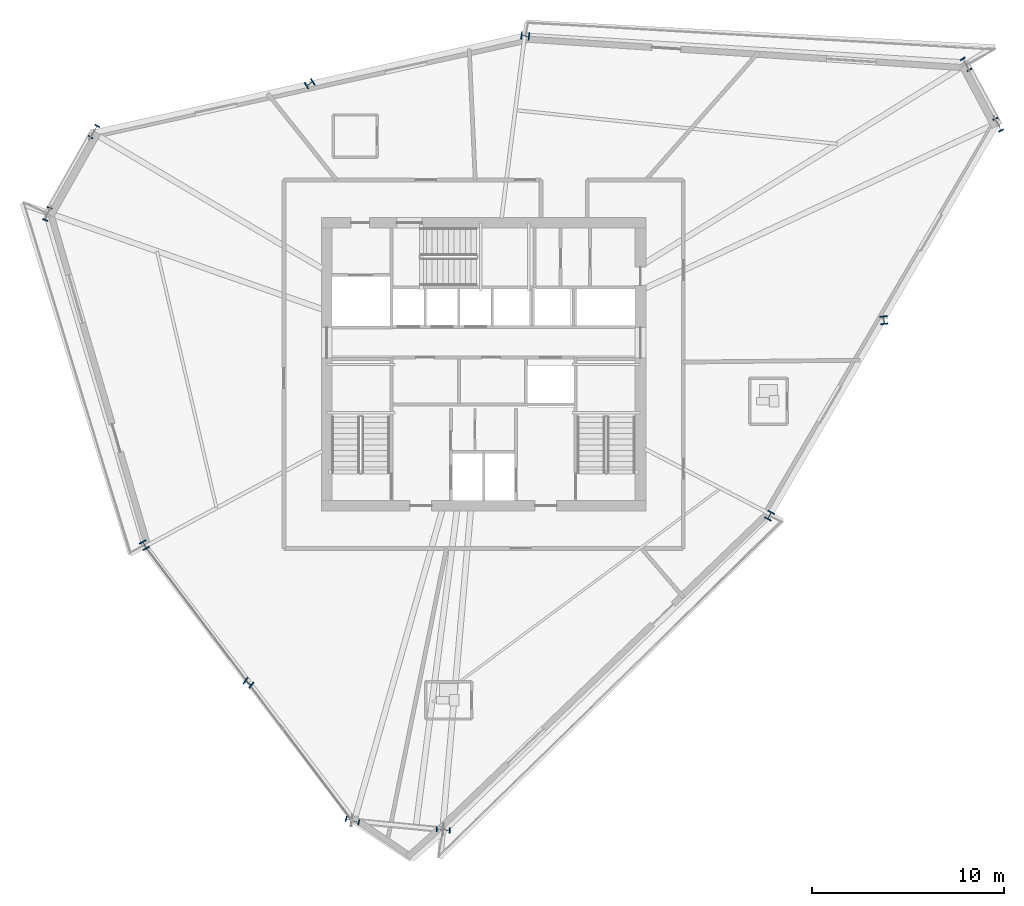
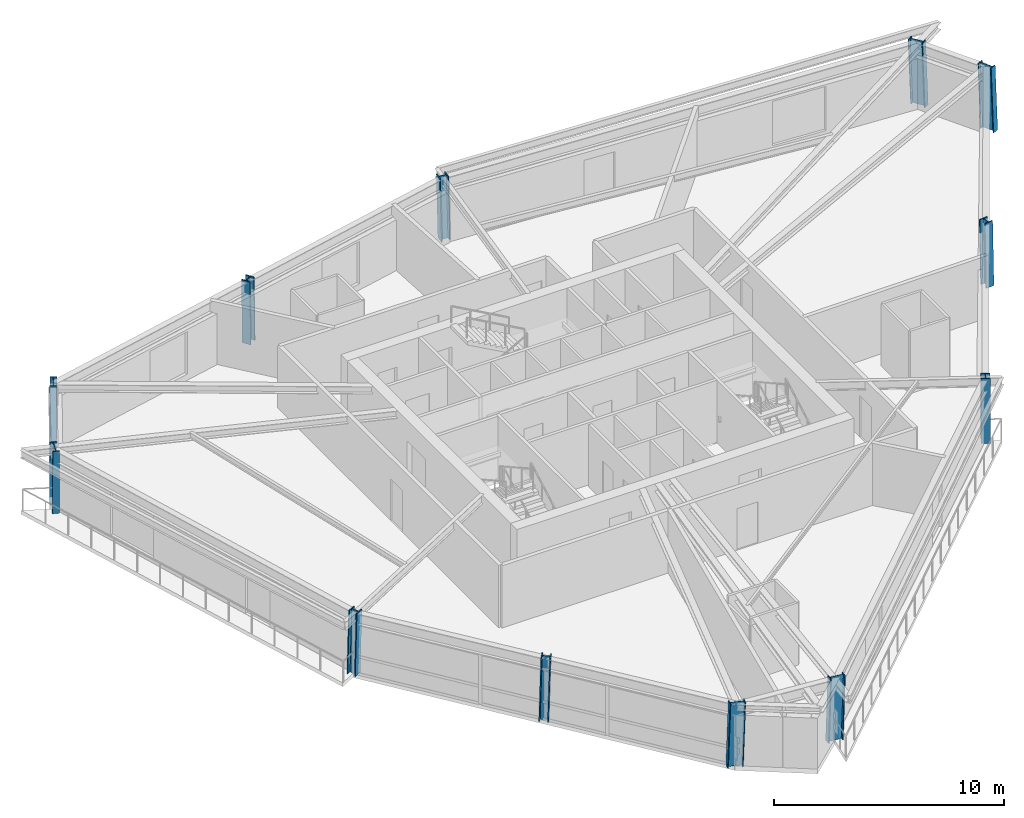
# One storey, part 1 of 15: 12 columns.
"""IFC4 building model written with IfcOpenShell, lengths in metres."""

from ifc_helpers import new_model, si_unit, direction, frame, origin, origin_2d, place, context, subcontext, project, spatial, i_section, extrude, source, transform, mapped, material, material_profile, profile_set, type_object, element, save


model = new_model("IFC4")

# Units and contexts
model_context = context("Model", 3, precision=1e-05, world=origin(), true_north=direction((0.0, 1.0)))
body_context = subcontext(model_context, "Body", "Model", "MODEL_VIEW")
ifc_project = project(units=[si_unit("LENGTHUNIT", "METRE"), si_unit("AREAUNIT", "SQUARE_METRE"), si_unit("VOLUMEUNIT", "CUBIC_METRE"), si_unit("PLANEANGLEUNIT", "RADIAN"), si_unit("MASSUNIT", "GRAM", prefix="KILO")], contexts=[model_context])

# Site, building, storey
site_placement = place(None, origin())
site = spatial("IfcSite", under=ifc_project, at=site_placement, CompositionType="ELEMENT")
building_placement = place(site_placement, origin())
building = spatial("IfcBuilding", under=site, at=building_placement, Name="Olszyna Solenne Hotel", CompositionType="ELEMENT")
storey_placement = place(building_placement, frame((0.0, 0.0, 150.14990234375)))
storey = spatial("IfcBuildingStorey", under=building, at=storey_placement, Name="L39", CompositionType="ELEMENT", Elevation=150.14990234375)

# Columns
ifc_material = material(Name="Steel S460M", Category="steel")
ifc_material_profile_1 = material_profile(ifc_material, i_section(OverallWidth=0.303955078125, OverallDepth=0.716064453125, WebThickness=0.02099609375, FlangeThickness=0.0400390625, at=origin_2d()), Name="HEM 700", Category="load-bearing")
ifc_profile_set_1 = profile_set([ifc_material_profile_1], Name="Steel S460M")
column_type_1 = type_object("IfcColumnType", Name="COL-K2", PredefinedType="COLUMN", material=ifc_profile_set_1)
shared_shape_1 = source(origin(), body_context, "Body", "SweptSolid", [
    extrude(i_section(OverallWidth=0.303955078125, OverallDepth=0.716064453125, WebThickness=0.02099609375, FlangeThickness=0.0400390625, at=origin_2d()), origin(), (0.0, 0.0, 1.0), 3.38671875),
])
for number, where, z_axis, x_axis, name in (
    (1, (15.28271484375, 34.4443359375, 0.0), (-0.010092527178, -0.029268328816, 0.999520638018), (0.945372981626, -0.325990683319, 0.0), "Perimeter framed-tube column COL-K2 C-L39-06"),
    (2, (31.153076171875, 2.822509765625, 0.0), (0.030637166779, -0.008722581601, 0.999492511519), (0.273824343666, 0.961779719487, 0.0), "Perimeter framed-tube column COL-K2 C-L39-09"),
    (3, (35.880126953125, 2.342529296875, 0.0), (0.03128640428, -0.002667274098, 0.999506901705), (0.084945317377, 0.996385614637, 0.0), "Perimeter framed-tube column COL-K2 C-L39-10"),
):
    element("IfcColumn", number, at=place(storey_placement, frame(where, z_axis=z_axis, x_axis=x_axis)), inside=storey, type_object=column_type_1, Name=name, PredefinedType="COLUMN", context=body_context, shape_type="MappedRepresentation", body=[
        mapped(shared_shape_1, transform((0.0, 0.0, 0.0), x_axis=(1.0, 0.0, 0.0), y_axis=(0.0, 1.0, 0.0), z_axis=(0.0, 0.0, 1.0), scale=1.0)),
    ])
shared_shape_2 = source(origin(), body_context, "Body", "SweptSolid", [
    extrude(i_section(OverallWidth=0.303955078125, OverallDepth=0.716064453125, WebThickness=0.02099609375, FlangeThickness=0.0400390625, at=origin_2d()), origin(), (0.0, 0.0, 1.0), 3.387451171875),
])
for number, where, z_axis, x_axis, name in (
    (4, (64.8232421875, 39.055908203125, 0.0), (-0.016144051187, 0.034522323744, 0.999273525505), (-0.905844657903, -0.423610027913, 0.0), "Perimeter framed-tube column COL-K2 C-L39-01"),
    (5, (63.1494140625, 42.19677734375, 0.0), (-0.020108001466, 0.03236018874, 0.999273979678), (-0.849377007505, -0.527786603773, 0.0), "Perimeter framed-tube column COL-K2 C-L39-02"),
):
    element("IfcColumn", number, at=place(storey_placement, frame(where, z_axis=z_axis, x_axis=x_axis)), inside=storey, type_object=column_type_1, Name=name, PredefinedType="COLUMN", context=body_context, shape_type="MappedRepresentation", body=[
        mapped(shared_shape_2, transform((0.0, 0.0, 0.0), x_axis=(1.0, 0.0, 0.0), y_axis=(0.0, 1.0, 0.0), z_axis=(0.0, 0.0, 1.0), scale=1.0)),
    ])
ifc_material_profile_2 = material_profile(ifc_material, i_section(OverallWidth=0.412109375, OverallDepth=0.43505859375, WebThickness=0.031494140625, FlangeThickness=0.050048828125, at=origin_2d()), Name="HD 400x463", Category="load-bearing")
ifc_profile_set_2 = profile_set([ifc_material_profile_2], Name="Steel S460M")
column_type_2 = type_object("IfcColumnType", Name="COL-T3", PredefinedType="COLUMN", material=ifc_profile_set_2)
shared_shape_3 = source(origin(), body_context, "Body", "SweptSolid", [
    extrude(i_section(OverallWidth=0.412109375, OverallDepth=0.43505859375, WebThickness=0.031494140625, FlangeThickness=0.050048828125, at=origin_2d()), origin(), (0.0, 0.0, 1.0), 3.3857421875),
])
for number, where, z_axis, x_axis, name in (
    (6, (40.184814453125, 43.6943359375, 0.0), (-0.022064500096, 0.002812142169, 0.999752594241), (-0.126428281923, -0.991975750475, 0.0), "Perimeter framed-tube column COL-T3 C-L39-03"),
    (7, (28.947998046875, 41.216064453125, 0.0), (-0.018747678453, -0.011681245806, 0.999756006758), (0.528824733398, -0.848731053601, 0.0), "Perimeter framed-tube column COL-T3 C-L39-04"),
    (8, (52.893310546875, 18.695556640625, 0.0), (0.010167095003, 0.019180477098, 0.999764341971), (-0.883545410781, 0.468345499699, 0.0), "Perimeter framed-tube column COL-T3 C-L39-11"),
):
    element("IfcColumn", number, at=place(storey_placement, frame(where, z_axis=z_axis, x_axis=x_axis)), inside=storey, type_object=column_type_2, Name=name, PredefinedType="COLUMN", context=body_context, shape_type="MappedRepresentation", body=[
        mapped(shared_shape_3, transform((0.0, 0.0, 0.0), x_axis=(1.0, 0.0, 0.0), y_axis=(0.0, 1.0, 0.0), z_axis=(0.0, 0.0, 1.0), scale=1.0)),
    ])
shared_shape_4 = source(origin(), body_context, "Body", "SweptSolid", [
    extrude(i_section(OverallWidth=0.303955078125, OverallDepth=0.716064453125, WebThickness=0.02099609375, FlangeThickness=0.0400390625, at=origin_2d()), origin(), (0.0, 0.0, 1.0), 3.386474609375),
])
column_placement = place(storey_placement, frame((17.711181640625, 38.737548828125, 0.0), z_axis=(-0.015499497617, -0.026168919233, 0.999537369606), x_axis=(0.860407016963, -0.509607461838, 0.0)))
element("IfcColumn", 9, at=column_placement, inside=storey, type_object=column_type_1, Name="Perimeter framed-tube column COL-K2 C-L39-05", PredefinedType="COLUMN", context=body_context, shape_type="MappedRepresentation", body=[
    mapped(shared_shape_4, transform((0.0, 0.0, 0.0), x_axis=(1.0, 0.0, 0.0), y_axis=(0.0, 1.0, 0.0), z_axis=(0.0, 0.0, 1.0), scale=1.0)),
])
shared_shape_5 = source(origin(), body_context, "Body", "SweptSolid", [
    extrude(i_section(OverallWidth=0.412109375, OverallDepth=0.43505859375, WebThickness=0.031494140625, FlangeThickness=0.050048828125, at=origin_2d()), origin(), (0.0, 0.0, 1.0), 3.38623046875),
])
for number, where, z_axis, x_axis, name in (
    (10, (20.3251953125, 17.181884765625, 0.0), (0.012184895885, -0.022783592306, 0.999666162393), (0.881811630605, 0.471601789786, 0.0), "Perimeter framed-tube column COL-T3 C-L39-07"),
    (11, (25.739013671875, 10.002197265625, 0.0), (0.02148535096, -0.015717471508, 0.999645607595), (0.590423944507, 0.80709328194, 0.0), "Perimeter framed-tube column COL-T3 C-L39-08"),
    (12, (58.8583984375, 28.875732421875, 0.0), (-0.003028100785, 0.026892418874, 0.999633747136), (-0.993720212436, -0.111893428746, 0.0), "Perimeter framed-tube column COL-T3 C-L39-12"),
):
    element("IfcColumn", number, at=place(storey_placement, frame(where, z_axis=z_axis, x_axis=x_axis)), inside=storey, type_object=column_type_2, Name=name, PredefinedType="COLUMN", context=body_context, shape_type="MappedRepresentation", body=[
        mapped(shared_shape_5, transform((0.0, 0.0, 0.0), x_axis=(1.0, 0.0, 0.0), y_axis=(0.0, 1.0, 0.0), z_axis=(0.0, 0.0, 1.0), scale=1.0)),
    ])

save(model, "model.ifc")
